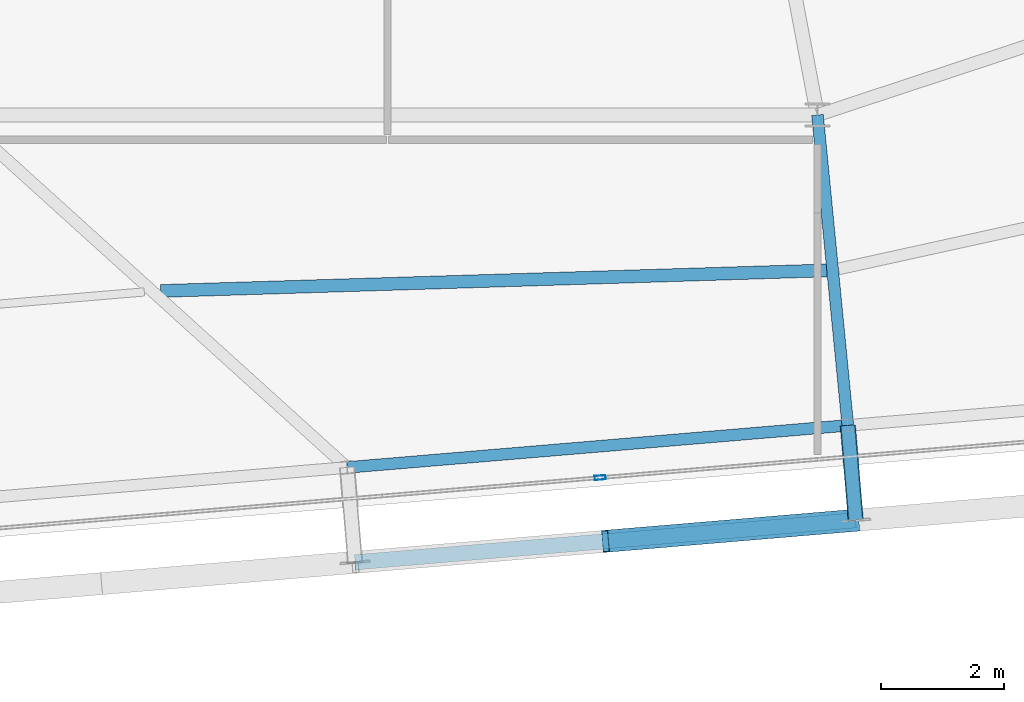
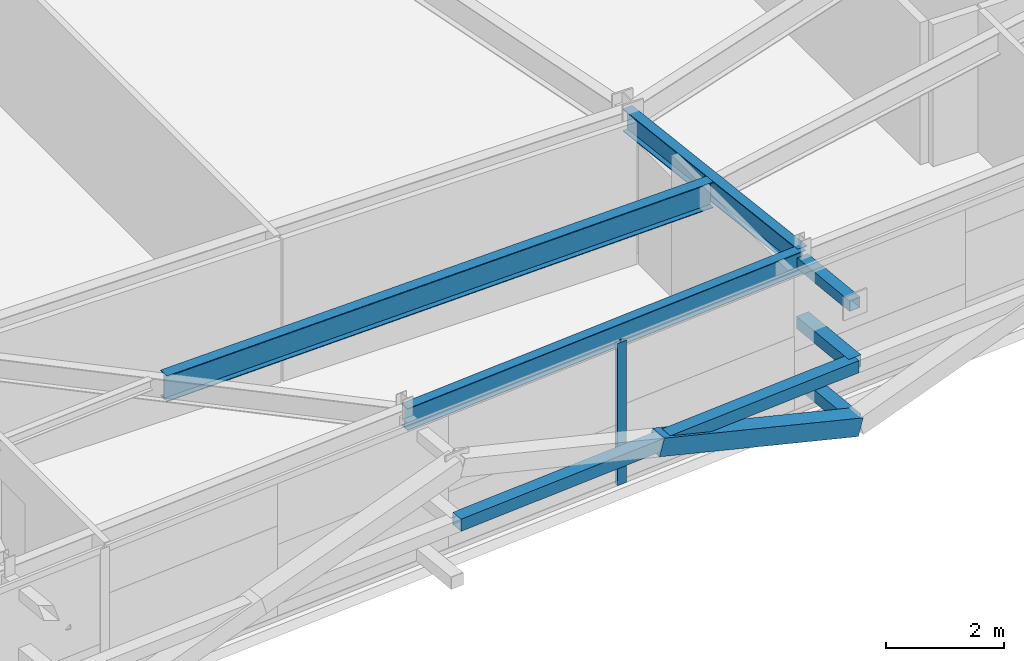
# One storey, part 10 of 37: 6 members, 3 beams, 1 element without a shape of its own.
"""IFC4 building model written with IfcOpenShell, lengths in metres."""

from ifc_helpers import new_model, si_unit, direction, frame, origin, origin_2d, place, context, subcontext, project, spatial, hollow_rectangle, i_section, extrude, source, transform, mapped, material, layer, layer_set, material_profile, profile_set, type_object, element, aggregate, save


model = new_model("IFC4")

# Units and contexts
model_context = context("Model", 3, precision=1e-05, world=origin(), true_north=direction((0.0, 1.0)))
body_context = subcontext(model_context, "Body", "Model", "MODEL_VIEW")
ifc_project = project(units=[si_unit("LENGTHUNIT", "METRE"), si_unit("AREAUNIT", "SQUARE_METRE"), si_unit("VOLUMEUNIT", "CUBIC_METRE"), si_unit("PLANEANGLEUNIT", "RADIAN"), si_unit("MASSUNIT", "GRAM", prefix="KILO")], contexts=[model_context])

# Site, building, storey
site_placement = place(None, origin())
site = spatial("IfcSite", under=ifc_project, at=site_placement, CompositionType="ELEMENT")
building_placement = place(site_placement, origin())
building = spatial("IfcBuilding", under=site, at=building_placement, Name="Taldren Reach Tower", CompositionType="ELEMENT")
storey_placement = place(building_placement, frame((0.0, 0.0, 200.89990234375)))
storey = spatial("IfcBuildingStorey", under=building, at=storey_placement, Name="L61", CompositionType="ELEMENT", Elevation=200.89990234375)

# Members
ifc_material_1 = material(Name="Steel Gr 350 (C350L0)", Category="steel")
ifc_material_profile_1 = material_profile(ifc_material_1, hollow_rectangle(XDim=0.25, YDim=0.25, WallThickness=0.010009765625, at=origin_2d()), Name="250x250x10.0SHS")
ifc_profile_set_1 = profile_set([ifc_material_profile_1], Name="Steel Gr 350 (C350L0)")
member_type_1 = type_object("IfcMemberType", Name="MB-POST250", PredefinedType="POST", material=ifc_profile_set_1)
shared_shape_1 = source(origin(), body_context, "Body", "SweptSolid", [
    extrude(hollow_rectangle(XDim=0.25, YDim=0.25, WallThickness=0.010009765625, at=origin_2d()), origin(), (0.0, 0.0, 1.0), 1.5498046875),
])
for number, where, z_axis, x_axis, name in (
    (1, (42.49365234375, 4.1474609375, 0.22021484375), (0.083645141657, -0.996495604746, 0.0), (0.996495604746, 0.083645141657, 0.0), "Exoskeleton base diaphragm tie strut B4-S4 L61"),
    (2, (42.49365234375, 4.1474609375, 1.43505859375), (0.083645141657, -0.996495604746, 0.0), (0.996495604746, 0.083645141657, 0.0), "Exoskeleton mid-tier diaphragm tie B4-S4 L61"),
):
    element("IfcMember", number, at=place(storey_placement, frame(where, z_axis=z_axis, x_axis=x_axis)), inside=storey, type_object=member_type_1, Name=name, PredefinedType="POST", context=body_context, shape_type="MappedRepresentation", body=[
        mapped(shared_shape_1, transform((0.0, 0.0, 0.0), scale=1.0)),
    ])

# Beams
ifc_material_2 = material(Name="Steel Gr 350 (350PLUS)", Category="steel")
ifc_material_profile_2 = material_profile(ifc_material_2, i_section(OverallWidth=0.18994140625, OverallDepth=0.4541015625, WebThickness=0.008544921875, FlangeThickness=0.0126953125, at=origin_2d()), Name="460UB67.1")
ifc_profile_set_2 = profile_set([ifc_material_profile_2], Name="Steel Gr 350 (350PLUS)")
beam_type_1 = type_object("IfcBeamType", Name="SP-UB460B", PredefinedType="SPANDREL", material=ifc_profile_set_2)
shared_shape_2 = source(origin(), body_context, "Body", "SweptSolid", [
    extrude(i_section(OverallWidth=0.18994140625, OverallDepth=0.4541015625, WebThickness=0.008544921875, FlangeThickness=0.0126953125, at=origin_2d()), origin(), (0.0, 0.0, 1.0), 8.18017578125),
])
beam_1_placement = place(storey_placement, frame((34.34228515625, 3.462890625, 2.703125), z_axis=(0.996492034688, 0.083687662192, 0.0), x_axis=(-0.083687662192, 0.996492034688, 0.0)))
element("IfcBeam", 3, at=beam_1_placement, inside=storey, type_object=beam_type_1, Name="Perimeter spandrel B4 S3-S4 L61", PredefinedType="SPANDREL", context=body_context, shape_type="MappedRepresentation", body=[
    mapped(shared_shape_2, transform((0.0, 0.0, 0.0), scale=1.0)),
])
ifc_material_profile_3 = material_profile(ifc_material_2, i_section(OverallWidth=0.19091796875, OverallDepth=0.4599609375, WebThickness=0.010009765625, FlangeThickness=0.01611328125, at=origin_2d()), Name="460UB82.1")
ifc_profile_set_3 = profile_set([ifc_material_profile_3], Name="Steel Gr 350 (350PLUS)")
beam_type_2 = type_object("IfcBeamType", Name="BM-UB460A", PredefinedType="BEAM", material=ifc_profile_set_3)
shared_shape_3 = source(origin(), body_context, "Body", "SweptSolid", [
    extrude(i_section(OverallWidth=0.19091796875, OverallDepth=0.4599609375, WebThickness=0.010009765625, FlangeThickness=0.01611328125, at=origin_2d()), origin(), (0.0, 0.0, 1.0), 5.07666015625),
])
beam_2_placement = place(storey_placement, frame((42.0, 9.199951171875, 2.7001953125), z_axis=(0.097241716644, -0.995260794236, 0.0), x_axis=(0.995260794236, 0.097241716644, 0.0)))
element("IfcBeam", 4, at=beam_2_placement, inside=storey, type_object=beam_type_2, Name="Primary floor girder B4-S4 L61", PredefinedType="BEAM", context=body_context, shape_type="MappedRepresentation", body=[
    mapped(shared_shape_3, transform((0.0, 0.0, 0.0), scale=1.0)),
])
ifc_material_profile_4 = material_profile(ifc_material_2, i_section(OverallWidth=0.208984375, OverallDepth=0.532958984375, WebThickness=0.01025390625, FlangeThickness=0.015625, at=origin_2d()), Name="530UB92.4")
ifc_profile_set_4 = profile_set([ifc_material_profile_4], Name="Steel Gr 350 (350PLUS)")
beam_type_3 = type_object("IfcBeamType", Name="BM-UB530A", PredefinedType="BEAM", material=ifc_profile_set_4)
shared_shape_4 = source(origin(), body_context, "Body", "SweptSolid", [
    extrude(i_section(OverallWidth=0.208984375, OverallDepth=0.532958984375, WebThickness=0.01025390625, FlangeThickness=0.015625, at=origin_2d()), origin(), (0.0, 0.0, 1.0), 10.847412109375),
])
beam_3_placement = place(storey_placement, frame((31.308837890625, 6.335693359375, 2.66357421875), z_axis=(0.999522428572, 0.030901695439, 0.0), x_axis=(-0.030901695439, 0.999522428572, 0.0)))
element("IfcBeam", 5, at=beam_3_placement, inside=storey, type_object=beam_type_3, Name="Secondary floor beam B4 J3 L61", PredefinedType="BEAM", context=body_context, shape_type="MappedRepresentation", body=[
    mapped(shared_shape_4, transform((0.0, 0.0, 0.0), scale=1.0)),
])

# Members
ifc_material_3 = material(Name="Steel Gr 450 (C450L0)", Category="steel")
ifc_material_profile_5 = material_profile(ifc_material_3, hollow_rectangle(XDim=0.219970703125, YDim=0.219970703125, WallThickness=0.00830078125, at=origin_2d()), Name="220x220x8.2SHS")
ifc_profile_set_5 = profile_set([ifc_material_profile_5], Name="Steel Gr 450 (C450L0)")
member_type_2 = type_object("IfcMemberType", Name="MB-TIE219", PredefinedType="STRUT", material=ifc_profile_set_5)
shared_shape_5 = source(origin(), body_context, "Body", "SweptSolid", [
    extrude(hollow_rectangle(XDim=0.219970703125, YDim=0.219970703125, WallThickness=0.00830078125, at=origin_2d()), origin(), (0.0, 0.0, 1.0), 1.5498046875),
])
member_1_placement = place(storey_placement, frame((42.49365234375, 4.1474609375, 2.650146484375), z_axis=(0.083645141657, -0.996495604746, 0.0), x_axis=(0.996495604746, 0.083645141657, 0.0)))
element("IfcMember", 6, at=member_1_placement, inside=storey, type_object=member_type_2, Name="Exoskeleton diaphragm tie strut B4-S4 L61", PredefinedType="STRUT", context=body_context, shape_type="MappedRepresentation", body=[
    mapped(shared_shape_5, transform((0.0, 0.0, 0.0), scale=1.0)),
])
shared_shape_6 = source(origin(), body_context, "Body", "SweptSolid", [
    extrude(hollow_rectangle(XDim=0.25, YDim=0.25, WallThickness=0.010009765625, at=origin_2d()), origin(), (0.0, 0.0, 1.0), 8.18017578125),
])
member_2_placement = place(storey_placement, frame((34.471923828125, 1.91845703125, 1.43505859375), z_axis=(0.996492034688, 0.083687662192, 0.0), x_axis=(-0.083687662192, 0.996492034688, 0.0)))
element("IfcMember", 7, at=member_2_placement, inside=storey, type_object=member_type_1, Name="Exoskeleton mid-height ring chord B4-S3 L61", PredefinedType="POST", context=body_context, shape_type="MappedRepresentation", body=[
    mapped(shared_shape_6, transform((0.0, 0.0, 0.0), scale=1.0)),
])
ifc_material_profile_6 = material_profile(ifc_material_3, hollow_rectangle(XDim=0.360107421875, YDim=0.360107421875, WallThickness=0.0126953125, at=origin_2d()), Name="360x360x12.7SHS")
ifc_profile_set_6 = profile_set([ifc_material_profile_6], Name="Steel Gr 450 (C450L0)")
member_type_3 = type_object("IfcMemberType", Name="MB-EXO356", PredefinedType="BRACE", material=ifc_profile_set_6)
shared_shape_7 = source(origin(), body_context, "Body", "SweptSolid", [
    extrude(hollow_rectangle(XDim=0.360107421875, YDim=0.360107421875, WallThickness=0.0126953125, at=origin_2d()), origin(), (0.0, 0.0, 1.0), 4.2666015625),
])
member_3_placement = place(storey_placement, frame((42.623291015625, 2.60302734375, 0.22021484375), z_axis=(-0.955244723646, -0.080223619417, 0.284730906006), x_axis=(0.083687662192, -0.996492034688, 0.0)))
element("IfcMember", 8, at=member_3_placement, inside=storey, type_object=member_type_3, Name="Exoskeleton Diagrid Brace B4-S3 L61", PredefinedType="BRACE", context=body_context, shape_type="MappedRepresentation", body=[
    mapped(shared_shape_7, transform((0.0, 0.0, 0.0), scale=1.0)),
])

# Curtain wall, member
ifc_material_4 = material(Name="Aluminium and Low-E Glass Unitised System", Category="aluminium")
ifc_layer = layer(ifc_material_4, 0.159912109375)
ifc_layer_set = layer_set([ifc_layer], Name="Aluminium and Low-E Glass Unitised System")
curtain_wall_type = type_object("IfcCurtainWallType", Name="CW-SYS-5", PredefinedType="NOTDEFINED", material=ifc_layer_set)
curtain_wall_placement = place(storey_placement, origin())
curtain_wall = element("IfcCurtainWall", 9, at=curtain_wall_placement, inside=storey, type_object=curtain_wall_type, Name="Unitised curtain wall CW-L61-S", PredefinedType="NOTDEFINED")
ifc_material_5 = material(Name="Anodised Aluminium 6063-T6", Category="aluminium")
ifc_material_profile_7 = material_profile(ifc_material_5, hollow_rectangle(XDim=0.070068359375, YDim=0.179931640625, WallThickness=0.00390625, at=origin_2d()), Name="ALU-180x70x4RHS")
ifc_profile_set_7 = profile_set([ifc_material_profile_7], Name="Anodised Aluminium 6063-T6")
member_type_4 = type_object("IfcMemberType", Name="CW-MUL-180", PredefinedType="MULLION", material=ifc_profile_set_7)
shared_shape_8 = source(origin(), body_context, "Body", "SweptSolid", [
    extrude(hollow_rectangle(XDim=0.070068359375, YDim=0.179931640625, WallThickness=0.00390625, at=origin_2d()), origin(), (0.0, 0.0, 1.0), 2.93017578125),
])
member_4_placement = place(storey_placement, frame((38.460693359375, 3.297119140625, 0.0), z_axis=(0.0, 0.0, 1.0), x_axis=(-0.083677894865, 0.996492854922, 0.0)))
member_4 = element("IfcMember", 10, at=member_4_placement, type_object=member_type_4, Name="CW-5 mullion 3", PredefinedType="MULLION", context=body_context, shape_type="MappedRepresentation", body=[
    mapped(shared_shape_8, transform((0.0, 0.0, 0.0), scale=1.0)),
])
aggregate(curtain_wall, [member_4])

save(model, "model.ifc")
